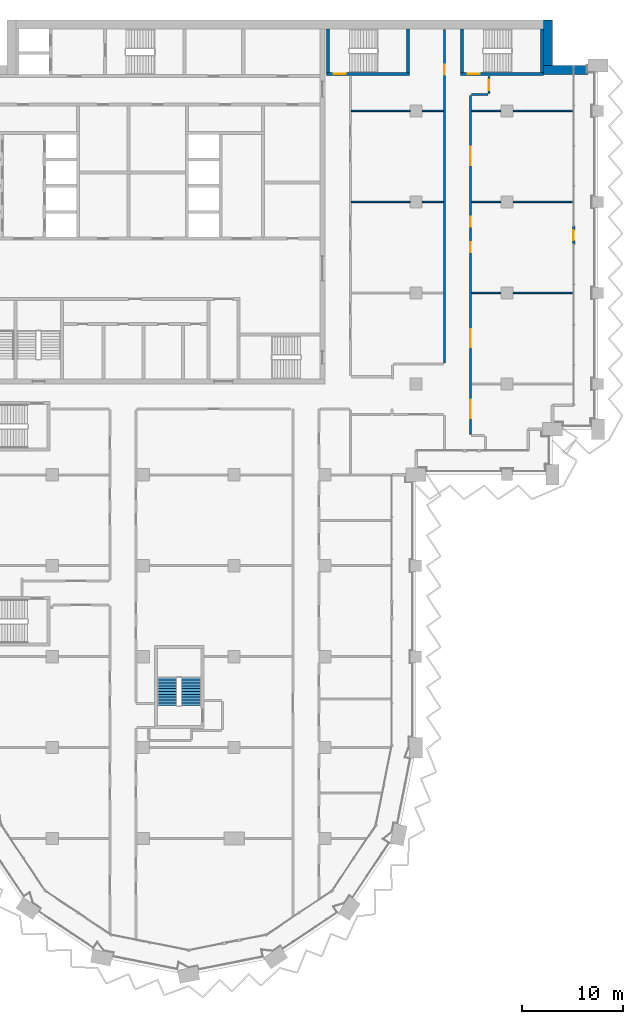
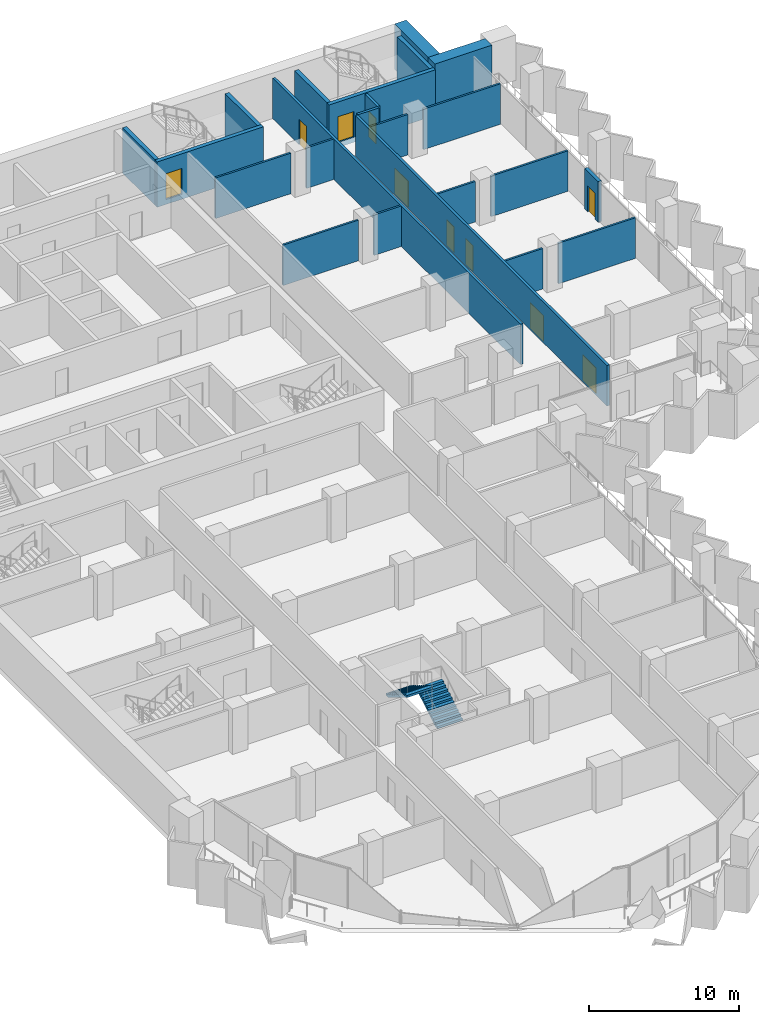
# One storey, part 14 of 22: 23 walls, 10 doors, 2 stair flights, 10 openings, 1 element without a shape of its own.
"""IFC4 building model written with IfcOpenShell, lengths in metres."""

from ifc_helpers import new_model, si_unit, direction, frame, frame_2d, origin, place, context, subcontext, project, spatial, polyline, rectangle, outline, extrude, material, layer, layer_set, type_object, element, fill, aggregate, save


model = new_model("IFC4")

# Units and contexts
model_context = context("Model", 3, precision=1e-05, world=origin(), true_north=direction((0.0, 1.0)))
body_context = subcontext(model_context, "Body", "Model", "MODEL_VIEW")
ifc_project = project(units=[si_unit("LENGTHUNIT", "METRE"), si_unit("AREAUNIT", "SQUARE_METRE"), si_unit("VOLUMEUNIT", "CUBIC_METRE"), si_unit("PLANEANGLEUNIT", "RADIAN"), si_unit("MASSUNIT", "GRAM", prefix="KILO")], contexts=[model_context])

# Site, building, storey
site_placement = place(None, origin())
site = spatial("IfcSite", under=ifc_project, at=site_placement, CompositionType="ELEMENT")
building_placement = place(site_placement, origin())
building = spatial("IfcBuilding", under=site, at=building_placement, Name="Hunhe Ridgeline Campus", CompositionType="ELEMENT")
storey_placement = place(building_placement, frame((0.0, 0.0, 133.800048828125)))
storey = spatial("IfcBuildingStorey", under=building, at=storey_placement, Name="L33", CompositionType="ELEMENT", Elevation=133.800048828125)

# Wall
ifc_material_1 = material(Name="Gypsum board partition")
ifc_layer_1 = layer(ifc_material_1, 0.199951171875)
ifc_layer_set_1 = layer_set([ifc_layer_1], Name="Corridor partition 200 gypsum board on steel studs")
wall_type_1 = type_object("IfcWallType", Name="Corridor partition 200 gypsum board on steel studs", PredefinedType="PARTITIONING", material=ifc_layer_set_1)
wall_1_placement = place(storey_placement, frame((52.10009765625, 91.64990234375, 0.0), z_axis=(0.0, 0.0, 1.0), x_axis=(-1.0, 0.0, 0.0)))
element("IfcWall", 1, at=wall_1_placement, inside=storey, type_object=wall_type_1, Name="F-L33-wall-058", PredefinedType="PARTITIONING", context=body_context, shape_type="SweptSolid", body=[
    extrude(rectangle(XDim=1.60009765625, YDim=0.199951171875, at=frame_2d((0.800048828125, 0.0))), origin(), (0.0, 0.0, 1.0), 3.300048828125),
])

# Wall, opening, door
wall_2_placement = place(storey_placement, frame((47.800048828125, 65.050048828125, 0.0), z_axis=(0.0, 0.0, 1.0), x_axis=(0.0, 1.0, 0.0)))
wall_2 = element("IfcWall", 2, at=wall_2_placement, inside=storey, type_object=wall_type_1, Name="F-L33-wall-080", PredefinedType="PARTITIONING", context=body_context, shape_type="SweptSolid", body=[
    extrude(rectangle(XDim=33.030029296875, YDim=0.199951171875, at=frame_2d((16.51513671875, 0.0))), origin(), (0.0, 0.0, 1.0), 3.300048828125),
])
opening_1_placement = place(wall_2_placement, frame((28.540283203125, 0.0, 0.0)))
opening_1 = element("IfcOpeningElement", 3, at=opening_1_placement, cuts=wall_2, Name="Opening RD1-043", PredefinedType="OPENING", context=body_context, shape_type="SweptSolid", body=[
    extrude(rectangle(XDim=1.0, YDim=2.10009765625, at=frame_2d((0.5, 1.050048828125))), frame((0.0, 0.10009765625, 0.0), z_axis=(0.0, -1.0, 0.0), x_axis=(1.0, 0.0, 0.0)), (0.0, 0.0, 1.0), 0.199951171875),
])
ifc_material_2 = material(Name="Timber door leaf", Category="wood")
door_type_1 = type_object("IfcDoorType", Name="Single fire door 1000x2100 timber FD60", OperationType="NOTDEFINED", PredefinedType="DOOR", material=ifc_material_2)
door_1_placement = place(opening_1_placement, origin())
door_1 = element("IfcDoor", 4, at=door_1_placement, inside=storey, type_object=door_type_1, Name="F-L33-door-043", OperationType="SINGLE_SWING_RIGHT", OverallHeight=2.10009765625, OverallWidth=1.0, PredefinedType="DOOR", context=body_context, shape_type="SweptSolid", body=[
    extrude(rectangle(XDim=1.0, YDim=2.10009765625, at=frame_2d((0.5, 1.050048828125))), frame((0.0, 0.02490234375, 0.0), z_axis=(0.0, -1.0, 0.0), x_axis=(1.0, 0.0, 0.0)), (0.0, 0.0, 1.0), 0.050048828125),
])
fill(opening_1, door_1)

# Wall, openings, doors
wall_3_placement = place(storey_placement, frame((50.39990234375, 91.550048828125, 0.0), z_axis=(0.0, 0.0, 1.0), x_axis=(0.0, -1.0, 0.0)))
wall_3 = element("IfcWall", 5, at=wall_3_placement, inside=storey, type_object=wall_type_1, Name="F-L33-wall-081", PredefinedType="PARTITIONING", context=body_context, shape_type="SweptSolid", body=[
    extrude(rectangle(XDim=33.549072265625, YDim=0.199951171875, at=frame_2d((16.7744140625, 0.0))), origin(), (0.0, 0.0, 1.0), 3.300048828125),
])
opening_2_placement = place(wall_3_placement, frame((30.145263671875, 0.0, 0.0)))
opening_2 = element("IfcOpeningElement", 6, at=opening_2_placement, cuts=wall_3, Name="Opening RD2-031", PredefinedType="OPENING", context=body_context, shape_type="SweptSolid", body=[
    extrude(rectangle(XDim=1.800048828125, YDim=2.10009765625, at=frame_2d((0.89990234375, 1.050048828125))), frame((0.0, 0.10009765625, 0.0), z_axis=(0.0, -1.0, 0.0), x_axis=(1.0, 0.0, 0.0)), (0.0, 0.0, 1.0), 0.199951171875),
])
opening_3_placement = place(wall_3_placement, frame((23.135009765625, 0.0, 0.0)))
opening_3 = element("IfcOpeningElement", 7, at=opening_3_placement, cuts=wall_3, Name="Opening RD2-032", PredefinedType="OPENING", context=body_context, shape_type="SweptSolid", body=[
    extrude(rectangle(XDim=1.800048828125, YDim=2.10009765625, at=frame_2d((0.89990234375, 1.050048828125))), frame((0.0, 0.10009765625, 0.0), z_axis=(0.0, -1.0, 0.0), x_axis=(1.0, 0.0, 0.0)), (0.0, 0.0, 1.0), 0.199951171875),
])
opening_4_placement = place(wall_3_placement, frame((14.52197265625, 0.0, 0.0)))
opening_4 = element("IfcOpeningElement", 8, at=opening_4_placement, cuts=wall_3, Name="Opening RD1-035", PredefinedType="OPENING", context=body_context, shape_type="SweptSolid", body=[
    extrude(rectangle(XDim=1.0, YDim=2.10009765625, at=frame_2d((0.5, 1.050048828125))), frame((0.0, 0.10009765625, 0.0), z_axis=(0.0, -1.0, 0.0), x_axis=(1.0, 0.0, 0.0)), (0.0, 0.0, 1.0), 0.199951171875),
])
opening_5_placement = place(wall_3_placement, frame((12.02197265625, 0.0, 0.0)))
opening_5 = element("IfcOpeningElement", 9, at=opening_5_placement, cuts=wall_3, Name="Opening RD1-037", PredefinedType="OPENING", context=body_context, shape_type="SweptSolid", body=[
    extrude(rectangle(XDim=1.0, YDim=2.10009765625, at=frame_2d((0.5, 1.050048828125))), frame((0.0, 0.10009765625, 0.0), z_axis=(0.0, -1.0, 0.0), x_axis=(1.0, 0.0, 0.0)), (0.0, 0.0, 1.0), 0.199951171875),
])
opening_6_placement = place(wall_3_placement, frame((5.10888671875, 0.0, 0.0)))
opening_6 = element("IfcOpeningElement", 10, at=opening_6_placement, cuts=wall_3, Name="Opening RD2-040", PredefinedType="OPENING", context=body_context, shape_type="SweptSolid", body=[
    extrude(rectangle(XDim=1.800048828125, YDim=2.10009765625, at=frame_2d((0.89990234375, 1.050048828125))), frame((0.0, 0.10009765625, 0.0), z_axis=(0.0, -1.0, 0.0), x_axis=(1.0, 0.0, 0.0)), (0.0, 0.0, 1.0), 0.199951171875),
])
door_type_2 = type_object("IfcDoorType", Name="Double fire door 1800x2100 timber FD60", OperationType="DOUBLE_DOOR_SINGLE_SWING", PredefinedType="DOOR", material=ifc_material_2)
door_2_placement = place(opening_2_placement, origin())
door_2 = element("IfcDoor", 11, at=door_2_placement, inside=storey, type_object=door_type_2, Name="F-L33-door-031", OperationType="DOUBLE_DOOR_SINGLE_SWING", OverallHeight=2.10009765625, OverallWidth=1.800048828125, PredefinedType="DOOR", context=body_context, shape_type="SweptSolid", body=[
    extrude(rectangle(XDim=1.800048828125, YDim=2.10009765625, at=frame_2d((0.89990234375, 1.050048828125))), frame((0.0, 0.02490234375, 0.0), z_axis=(0.0, -1.0, 0.0), x_axis=(1.0, 0.0, 0.0)), (0.0, 0.0, 1.0), 0.050048828125),
])
fill(opening_2, door_2)
door_3_placement = place(opening_3_placement, origin())
door_3 = element("IfcDoor", 12, at=door_3_placement, inside=storey, type_object=door_type_2, Name="F-L33-door-032", OperationType="DOUBLE_DOOR_SINGLE_SWING", OverallHeight=2.10009765625, OverallWidth=1.800048828125, PredefinedType="DOOR", context=body_context, shape_type="SweptSolid", body=[
    extrude(rectangle(XDim=1.800048828125, YDim=2.10009765625, at=frame_2d((0.89990234375, 1.050048828125))), frame((0.0, 0.02490234375, 0.0), z_axis=(0.0, -1.0, 0.0), x_axis=(1.0, 0.0, 0.0)), (0.0, 0.0, 1.0), 0.050048828125),
])
fill(opening_3, door_3)
door_4_placement = place(opening_6_placement, origin())
door_4 = element("IfcDoor", 13, at=door_4_placement, inside=storey, type_object=door_type_2, Name="F-L33-door-040", OperationType="DOUBLE_DOOR_SINGLE_SWING", OverallHeight=2.10009765625, OverallWidth=1.800048828125, PredefinedType="DOOR", context=body_context, shape_type="SweptSolid", body=[
    extrude(rectangle(XDim=1.800048828125, YDim=2.10009765625, at=frame_2d((0.89990234375, 1.050048828125))), frame((0.0, 0.02490234375, 0.0), z_axis=(0.0, -1.0, 0.0), x_axis=(1.0, 0.0, 0.0)), (0.0, 0.0, 1.0), 0.050048828125),
])
fill(opening_6, door_4)
door_5_placement = place(opening_4_placement, frame((1.0, 0.0, 0.0), z_axis=(0.0, 0.0, 1.0), x_axis=(-1.0, 0.0, 0.0)))
door_5 = element("IfcDoor", 14, at=door_5_placement, inside=storey, type_object=door_type_1, Name="F-L33-door-035", OperationType="SINGLE_SWING_RIGHT", OverallHeight=2.10009765625, OverallWidth=1.0, PredefinedType="DOOR", context=body_context, shape_type="SweptSolid", body=[
    extrude(rectangle(XDim=1.0, YDim=2.10009765625, at=frame_2d((0.5, 1.050048828125))), frame((0.0, 0.02490234375, 0.0), z_axis=(0.0, -1.0, 0.0), x_axis=(1.0, 0.0, 0.0)), (0.0, 0.0, 1.0), 0.050048828125),
])
fill(opening_4, door_5)
door_6_placement = place(opening_5_placement, frame((1.0, 0.0, 0.0), z_axis=(0.0, 0.0, 1.0), x_axis=(-1.0, 0.0, 0.0)))
door_6 = element("IfcDoor", 15, at=door_6_placement, inside=storey, type_object=door_type_1, Name="F-L33-door-037", OperationType="SINGLE_SWING_RIGHT", OverallHeight=2.10009765625, OverallWidth=1.0, PredefinedType="DOOR", context=body_context, shape_type="SweptSolid", body=[
    extrude(rectangle(XDim=1.0, YDim=2.10009765625, at=frame_2d((0.5, 1.050048828125))), frame((0.0, 0.02490234375, 0.0), z_axis=(0.0, -1.0, 0.0), x_axis=(1.0, 0.0, 0.0)), (0.0, 0.0, 1.0), 0.050048828125),
])
fill(opening_5, door_6)

# Wall, opening, door
wall_4_placement = place(storey_placement, frame((52.199951171875, 93.39599609375, 0.0), z_axis=(0.0, 0.0, 1.0), x_axis=(0.0, -1.0, 0.0)))
wall_4 = element("IfcWall", 16, at=wall_4_placement, inside=storey, type_object=wall_type_1, Name="F-L33-wall-083", PredefinedType="PARTITIONING", context=body_context, shape_type="SweptSolid", body=[
    extrude(rectangle(XDim=1.64599609375, YDim=0.199951171875, at=frame_2d((0.822998046875, 0.0))), origin(), (0.0, 0.0, 1.0), 3.300048828125),
])
opening_7_placement = place(wall_4_placement, frame((0.322998046875, 0.0, 0.0)))
opening_7 = element("IfcOpeningElement", 17, at=opening_7_placement, cuts=wall_4, Name="Opening RD1-042", PredefinedType="OPENING", context=body_context, shape_type="SweptSolid", body=[
    extrude(rectangle(XDim=1.0, YDim=2.10009765625, at=frame_2d((0.5, 1.050048828125))), frame((0.0, 0.10009765625, 0.0), z_axis=(0.0, -1.0, 0.0), x_axis=(1.0, 0.0, 0.0)), (0.0, 0.0, 1.0), 0.199951171875),
])
door_7_placement = place(opening_7_placement, origin())
door_7 = element("IfcDoor", 18, at=door_7_placement, inside=storey, type_object=door_type_1, Name="F-L33-door-042", OperationType="SINGLE_SWING_LEFT", OverallHeight=2.10009765625, OverallWidth=1.0, PredefinedType="DOOR", context=body_context, shape_type="SweptSolid", body=[
    extrude(rectangle(XDim=1.0, YDim=2.10009765625, at=frame_2d((0.5, 1.050048828125))), frame((0.0, 0.02490234375, 0.0), z_axis=(0.0, -1.0, 0.0), x_axis=(1.0, 0.0, 0.0)), (0.0, 0.0, 1.0), 0.050048828125),
])
fill(opening_7, door_7)

ifc_material_3 = material(Name="Concrete C30", Category="concrete")
ifc_layer_2 = layer(ifc_material_3, 0.25)
ifc_layer_set_2 = layer_set([ifc_layer_2], Name="Loggia door pier wall 250 Concrete C30")
wall_type_2 = type_object("IfcWallType", Name="Loggia door pier wall 250 Concrete C30", PredefinedType="SOLIDWALL", material=ifc_layer_set_2)
wall_5_placement = place(storey_placement, frame((60.59912109375, 76.800537109375, 0.0), z_axis=(0.0, 0.0, 1.0), x_axis=(0.0, 1.0, 0.0)))
wall_5 = element("IfcWall", 19, at=wall_5_placement, inside=storey, type_object=wall_type_2, Name="Loggia door pier 5", PredefinedType="SOLIDWALL", context=body_context, shape_type="SweptSolid", body=[
    extrude(rectangle(XDim=1.800048828125, YDim=0.25, at=frame_2d((0.89990234375, 0.0))), origin(), (0.0, 0.0, 1.0), 3.300048828125),
])
opening_8_placement = place(wall_5_placement, frame((0.39990234375, 0.0, 0.0)))
opening_8 = element("IfcOpeningElement", 20, at=opening_8_placement, cuts=wall_5, Name="Opening BD307", PredefinedType="OPENING", context=body_context, shape_type="SweptSolid", body=[
    extrude(rectangle(XDim=1.0, YDim=2.10009765625, at=frame_2d((0.5, 1.050048828125))), frame((0.0, 0.125, 0.0), z_axis=(0.0, -1.0, 0.0), x_axis=(1.0, 0.0, 0.0)), (0.0, 0.0, 1.0), 0.25),
])
ifc_material_4 = material(Name="Aluminium 6063", Category="aluminium")
door_type_3 = type_object("IfcDoorType", Name="Loggia glazed door 1000x2100", OperationType="NOTDEFINED", PredefinedType="DOOR", material=ifc_material_4)
door_8_placement = place(opening_8_placement, frame((1.0, 0.0, 0.0), z_axis=(0.0, 0.0, 1.0), x_axis=(-1.0, 0.0, 0.0)))
door_8 = element("IfcDoor", 21, at=door_8_placement, inside=storey, type_object=door_type_3, Name="Loggia door BD307", OperationType="SINGLE_SWING_RIGHT", OverallHeight=2.10009765625, OverallWidth=1.0, PredefinedType="DOOR", context=body_context, shape_type="SweptSolid", body=[
    extrude(rectangle(XDim=1.0, YDim=2.10009765625, at=frame_2d((0.5, 1.050048828125))), frame((0.0, 0.02490234375, 0.0), z_axis=(0.0, -1.0, 0.0), x_axis=(1.0, 0.0, 0.0)), (0.0, 0.0, 1.0), 0.050048828125),
])
fill(opening_8, door_8)

# Walls
ifc_layer_3 = layer(ifc_material_1, 0.14990234375)
ifc_layer_set_3 = layer_set([ifc_layer_3], Name="Room partition 150 gypsum board on steel studs")
wall_type_3 = type_object("IfcWallType", Name="Room partition 150 gypsum board on steel studs", PredefinedType="PARTITIONING", material=ifc_layer_set_3)
wall_6_placement = place(storey_placement, frame((50.5, 72.0, 0.0), z_axis=(0.0, 0.0, 1.0), x_axis=(1.0, 0.0, 0.0)))
element("IfcWall", 22, at=wall_6_placement, inside=storey, type_object=wall_type_3, Name="F-L33-wall-048", PredefinedType="PARTITIONING", context=body_context, shape_type="SweptSolid", body=[
    extrude(rectangle(XDim=2.89990234375, YDim=0.14990234375, at=frame_2d((1.449951171875, 0.0))), origin(), (0.0, 0.0, 1.0), 3.300048828125),
])
wall_7_placement = place(storey_placement, frame((54.60009765625, 72.0, 0.0), z_axis=(0.0, 0.0, 1.0), x_axis=(1.0, 0.0, 0.0)))
element("IfcWall", 23, at=wall_7_placement, inside=storey, type_object=wall_type_3, Name="F-L33-wall-049", PredefinedType="PARTITIONING", context=body_context, shape_type="SweptSolid", body=[
    extrude(rectangle(XDim=5.94482421875, YDim=0.14990234375, at=frame_2d((2.972412109375, 0.0))), origin(), (0.0, 0.0, 1.0), 3.300048828125),
])
wall_8_placement = place(storey_placement, frame((38.60009765625, 81.0, 0.0), z_axis=(0.0, 0.0, 1.0), x_axis=(1.0, 0.0, 0.0)))
element("IfcWall", 24, at=wall_8_placement, inside=storey, type_object=wall_type_3, Name="F-L33-wall-050", PredefinedType="PARTITIONING", context=body_context, shape_type="SweptSolid", body=[
    extrude(rectangle(XDim=5.7998046875, YDim=0.14990234375, at=frame_2d((2.89990234375, 0.0))), origin(), (0.0, 0.0, 1.0), 3.300048828125),
])
wall_9_placement = place(storey_placement, frame((45.60009765625, 81.0, 0.0), z_axis=(0.0, 0.0, 1.0), x_axis=(1.0, 0.0, 0.0)))
element("IfcWall", 25, at=wall_9_placement, inside=storey, type_object=wall_type_3, Name="F-L33-wall-051", PredefinedType="PARTITIONING", context=body_context, shape_type="SweptSolid", body=[
    extrude(rectangle(XDim=2.099853515625, YDim=0.14990234375, at=frame_2d((1.0498046875, 0.0))), origin(), (0.0, 0.0, 1.0), 3.300048828125),
])
wall_10_placement = place(storey_placement, frame((50.5, 81.0, 0.0), z_axis=(0.0, 0.0, 1.0), x_axis=(1.0, 0.0, 0.0)))
element("IfcWall", 26, at=wall_10_placement, inside=storey, type_object=wall_type_3, Name="F-L33-wall-052", PredefinedType="PARTITIONING", context=body_context, shape_type="SweptSolid", body=[
    extrude(rectangle(XDim=2.89990234375, YDim=0.14990234375, at=frame_2d((1.449951171875, 0.0))), origin(), (0.0, 0.0, 1.0), 3.300048828125),
])
wall_11_placement = place(storey_placement, frame((54.60009765625, 81.0, 0.0), z_axis=(0.0, 0.0, 1.0), x_axis=(1.0, 0.0, 0.0)))
element("IfcWall", 27, at=wall_11_placement, inside=storey, type_object=wall_type_3, Name="F-L33-wall-053", PredefinedType="PARTITIONING", context=body_context, shape_type="SweptSolid", body=[
    extrude(rectangle(XDim=5.94482421875, YDim=0.14990234375, at=frame_2d((2.972412109375, 0.0))), origin(), (0.0, 0.0, 1.0), 3.300048828125),
])
wall_12_placement = place(storey_placement, frame((38.60009765625, 90.0, 0.0), z_axis=(0.0, 0.0, 1.0), x_axis=(1.0, 0.0, 0.0)))
element("IfcWall", 28, at=wall_12_placement, inside=storey, type_object=wall_type_3, Name="F-L33-wall-054", PredefinedType="PARTITIONING", context=body_context, shape_type="SweptSolid", body=[
    extrude(rectangle(XDim=5.7998046875, YDim=0.14990234375, at=frame_2d((2.89990234375, 0.0))), origin(), (0.0, 0.0, 1.0), 3.300048828125),
])
wall_13_placement = place(storey_placement, frame((45.60009765625, 90.0, 0.0), z_axis=(0.0, 0.0, 1.0), x_axis=(1.0, 0.0, 0.0)))
element("IfcWall", 29, at=wall_13_placement, inside=storey, type_object=wall_type_3, Name="F-L33-wall-055", PredefinedType="PARTITIONING", context=body_context, shape_type="SweptSolid", body=[
    extrude(rectangle(XDim=2.099853515625, YDim=0.14990234375, at=frame_2d((1.0498046875, 0.0))), origin(), (0.0, 0.0, 1.0), 3.300048828125),
])
wall_14_placement = place(storey_placement, frame((50.5, 90.0, 0.0), z_axis=(0.0, 0.0, 1.0), x_axis=(1.0, 0.0, 0.0)))
element("IfcWall", 30, at=wall_14_placement, inside=storey, type_object=wall_type_3, Name="F-L33-wall-056", PredefinedType="PARTITIONING", context=body_context, shape_type="SweptSolid", body=[
    extrude(rectangle(XDim=2.89990234375, YDim=0.14990234375, at=frame_2d((1.449951171875, 0.0))), origin(), (0.0, 0.0, 1.0), 3.300048828125),
])
wall_15_placement = place(storey_placement, frame((54.60009765625, 90.0, 0.0), z_axis=(0.0, 0.0, 1.0), x_axis=(1.0, 0.0, 0.0)))
element("IfcWall", 31, at=wall_15_placement, inside=storey, type_object=wall_type_3, Name="F-L33-wall-057", PredefinedType="PARTITIONING", context=body_context, shape_type="SweptSolid", body=[
    extrude(rectangle(XDim=5.94482421875, YDim=0.14990234375, at=frame_2d((2.972412109375, 0.0))), origin(), (0.0, 0.0, 1.0), 3.300048828125),
])
ifc_material_5 = material(Name="Concrete C70", Category="concrete")
ifc_layer_4 = layer(ifc_material_5, 0.89990234375)
ifc_layer_set_4 = layer_set([ifc_layer_4], Name="Spine wall 900 Concrete C70")
wall_type_4 = type_object("IfcWallType", Name="Spine wall 900 Concrete C70", PredefinedType="SHEAR", material=ifc_layer_set_4)
wall_16_placement = place(storey_placement, frame((62.0, 94.050048828125, 0.0), z_axis=(0.0, 0.0, 1.0), x_axis=(-1.0, 0.0, 0.0)))
element("IfcWall", 32, at=wall_16_placement, inside=storey, type_object=wall_type_4, Name="Spine wall SW2-2 L33", PredefinedType="SHEAR", context=body_context, shape_type="SweptSolid", body=[
    extrude(rectangle(XDim=4.400390625, YDim=0.89990234375, at=frame_2d((2.2001953125, 0.0))), origin(), (0.0, 0.0, 1.0), 3.699951171875),
])
wall_17_placement = place(storey_placement, frame((58.050048828125, 93.60009765625, 0.0), z_axis=(0.0, 0.0, 1.0), x_axis=(0.0, 1.0, 0.0)))
element("IfcWall", 33, at=wall_17_placement, inside=storey, type_object=wall_type_4, Name="Spine wall SW2-3 L33", PredefinedType="SHEAR", context=body_context, shape_type="SweptSolid", body=[
    extrude(rectangle(XDim=5.39990234375, YDim=0.89990234375, at=frame_2d((2.699951171875, 0.0))), origin(), (0.0, 0.0, 1.0), 3.699951171875),
])

# Wall, opening, door
ifc_layer_5 = layer(ifc_material_5, 0.300048828125)
ifc_layer_set_5 = layer_set([ifc_layer_5], Name="Stair wall 300 reinforced concrete C70")
wall_type_5 = type_object("IfcWallType", Name="Stair wall 300 reinforced concrete C70", PredefinedType="SOLIDWALL", material=ifc_layer_set_5)
wall_18_placement = place(storey_placement, frame((36.14990234375, 93.64990234375, -0.400146484375), z_axis=(0.0, 0.0, 1.0), x_axis=(1.0, 0.0, 0.0)))
wall_18 = element("IfcWall", 34, at=wall_18_placement, inside=storey, type_object=wall_type_5, Name="L33 core wall 29", PredefinedType="SOLIDWALL", context=body_context, shape_type="SweptSolid", body=[
    extrude(rectangle(XDim=8.2001953125, YDim=0.300048828125, at=frame_2d((4.10009765625, 0.0))), origin(), (0.0, 0.0, 1.0), 3.7001953125),
])
opening_9_placement = place(wall_18_placement, frame((0.699951171875, 0.0, 0.39990234375)))
opening_9 = element("IfcOpeningElement", 35, at=opening_9_placement, cuts=wall_18, Name="Opening CD17", PredefinedType="OPENING", context=body_context, shape_type="SweptSolid", body=[
    extrude(rectangle(XDim=1.199951171875, YDim=2.10009765625, at=frame_2d((0.60009765625, 1.050048828125))), frame((0.0, 0.14990234375, 0.0), z_axis=(0.0, -1.0, 0.0), x_axis=(1.0, 0.0, 0.0)), (0.0, 0.0, 1.0), 0.300048828125),
])
ifc_material_6 = material(Name="Hollow metal fire door leaf")
door_type_4 = type_object("IfcDoorType", Name="Stair door 1200x2100 FD60", OperationType="SINGLE_SWING_LEFT", PredefinedType="DOOR", material=ifc_material_6)
door_9_placement = place(opening_9_placement, frame((1.199951171875, 0.0, 0.0), z_axis=(0.0, 0.0, 1.0), x_axis=(-1.0, 0.0, 0.0)))
door_9 = element("IfcDoor", 36, at=door_9_placement, inside=storey, type_object=door_type_4, Name="L33 door E1", OperationType="SINGLE_SWING_RIGHT", OverallHeight=2.10009765625, OverallWidth=1.199951171875, PredefinedType="DOOR", context=body_context, shape_type="SweptSolid", body=[
    extrude(rectangle(XDim=1.199951171875, YDim=2.10009765625, at=frame_2d((0.60009765625, 1.050048828125))), frame((0.0, 0.02490234375, 0.0), z_axis=(0.0, -1.0, 0.0), x_axis=(1.0, 0.0, 0.0)), (0.0, 0.0, 1.0), 0.050048828125),
])
fill(opening_9, door_9)

wall_19_placement = place(storey_placement, frame((49.39990234375, 93.64990234375, -0.400146484375), z_axis=(0.0, 0.0, 1.0), x_axis=(1.0, 0.0, 0.0)))
wall_19 = element("IfcWall", 37, at=wall_19_placement, inside=storey, type_object=wall_type_5, Name="L33 core wall 30", PredefinedType="SOLIDWALL", context=body_context, shape_type="SweptSolid", body=[
    extrude(rectangle(XDim=8.2001953125, YDim=0.300048828125, at=frame_2d((4.10009765625, 0.0))), origin(), (0.0, 0.0, 1.0), 3.7001953125),
])
opening_10_placement = place(wall_19_placement, frame((0.699951171875, 0.0, 0.39990234375)))
opening_10 = element("IfcOpeningElement", 38, at=opening_10_placement, cuts=wall_19, Name="Opening CD18", PredefinedType="OPENING", context=body_context, shape_type="SweptSolid", body=[
    extrude(rectangle(XDim=1.199951171875, YDim=2.10009765625, at=frame_2d((0.60009765625, 1.050048828125))), frame((0.0, 0.14990234375, 0.0), z_axis=(0.0, -1.0, 0.0), x_axis=(1.0, 0.0, 0.0)), (0.0, 0.0, 1.0), 0.300048828125),
])
door_10_placement = place(opening_10_placement, frame((1.199951171875, 0.0, 0.0), z_axis=(0.0, 0.0, 1.0), x_axis=(-1.0, 0.0, 0.0)))
door_10 = element("IfcDoor", 39, at=door_10_placement, inside=storey, type_object=door_type_4, Name="L33 door E2", OperationType="SINGLE_SWING_LEFT", OverallHeight=2.10009765625, OverallWidth=1.199951171875, PredefinedType="DOOR", context=body_context, shape_type="SweptSolid", body=[
    extrude(rectangle(XDim=1.199951171875, YDim=2.10009765625, at=frame_2d((0.60009765625, 1.050048828125))), frame((0.0, 0.02490234375, 0.0), z_axis=(0.0, -1.0, 0.0), x_axis=(1.0, 0.0, 0.0)), (0.0, 0.0, 1.0), 0.050048828125),
])
fill(opening_10, door_10)

# Walls
for number, where, z_axis, x_axis, name in (
    (40, (36.300048828125, 93.800048828125, -0.400146484375), (0.0, 0.0, 1.0), (0.0, 1.0, 0.0), "L33 core wall 60"),
    (41, (44.199951171875, 93.800048828125, -0.400146484375), (0.0, 0.0, 1.0), (0.0, 1.0, 0.0), "L33 core wall 61"),
    (42, (49.550048828125, 93.800048828125, -0.400146484375), (0.0, 0.0, 1.0), (0.0, 1.0, 0.0), "L33 core wall 62"),
    (43, (57.449951171875, 93.800048828125, -0.400146484375), (0.0, 0.0, 1.0), (0.0, 1.0, 0.0), "L33 core wall 63"),
):
    element("IfcWall", number, at=place(storey_placement, frame(where, z_axis=z_axis, x_axis=x_axis)), inside=storey, type_object=wall_type_5, Name=name, PredefinedType="SOLIDWALL", context=body_context, shape_type="SweptSolid", body=[
        extrude(rectangle(XDim=4.300048828125, YDim=0.300048828125, at=frame_2d((2.14990234375, 0.0))), origin(), (0.0, 0.0, 1.0), 3.7001953125),
    ])

# Stair, stair flights
ifc_material_7 = material(Name="Concrete C40", Category="concrete")
stair_type = type_object("IfcStairType", Name="Reinforced concrete dog-leg stair 1950 Concrete C40", PredefinedType="HALF_TURN_STAIR", material=ifc_material_7)
stair_placement = place(storey_placement, origin())
stair = element("IfcStair", 44, at=stair_placement, inside=storey, type_object=stair_type, Name="L33 W3", PredefinedType="HALF_TURN_STAIR")
stair_flight_type = type_object("IfcStairFlightType", Name="Reinforced concrete stair flight 1950 Concrete C40", PredefinedType="STRAIGHT", material=ifc_material_7)
stair_flight_1_placement = place(storey_placement, frame((22.72509765625, 31.14990234375, 0.0), z_axis=(0.0, 0.0, 1.0), x_axis=(0.0, 1.0, 0.0)))
stair_flight_1 = element("IfcStairFlight", 45, at=stair_flight_1_placement, type_object=stair_flight_type, Name="ST9 flight 1", NumberOfRisers=11, NumberOfTreads=10, PredefinedType="STRAIGHT", RiserHeight=0.168181818, TreadLength=0.28, context=body_context, shape_type="SweptSolid", body=[
    extrude(outline(polyline([(0.0, 0.0), (0.0, 0.168212890625), (0.280029296875, 0.168212890625), (0.280029296875, 0.33642578125), (0.56005859375, 0.33642578125), (0.56005859375, 0.504638671875), (0.840087890625, 0.504638671875), (0.840087890625, 0.672607421875), (1.1201171875, 0.672607421875), (1.1201171875, 0.8408203125), (1.39990234375, 0.8408203125), (1.39990234375, 1.009033203125), (1.679931640625, 1.009033203125), (1.679931640625, 1.17724609375), (1.9599609375, 1.17724609375), (1.9599609375, 1.345458984375), (2.239990234375, 1.345458984375), (2.239990234375, 1.513671875), (2.52001953125, 1.513671875), (2.52001953125, 1.681884765625), (2.800048828125, 1.681884765625), (2.800048828125, 1.85009765625), (2.800048828125, 1.5068359375), (0.291015625, 0.0), (0.0, 0.0)])), frame((0.0, 0.97509765625, 0.0), z_axis=(0.0, -1.0, 0.0), x_axis=(1.0, 0.0, 0.0)), (0.0, 0.0, 1.0), 1.949951171875),
    extrude(outline(polyline([(0.030029296875, 0.030029296875), (0.030029296875, 0.13818359375), (0.31005859375, 0.13818359375), (0.31005859375, 0.306396484375), (0.590087890625, 0.306396484375), (0.590087890625, 0.474609375), (0.8701171875, 0.474609375), (0.8701171875, 0.642578125), (1.14990234375, 0.642578125), (1.14990234375, 0.810791015625), (1.429931640625, 0.810791015625), (1.429931640625, 0.97900390625), (1.7099609375, 0.97900390625), (1.7099609375, 1.147216796875), (1.989990234375, 1.147216796875), (1.989990234375, 1.3154296875), (2.27001953125, 1.3154296875), (2.27001953125, 1.483642578125), (2.550048828125, 1.483642578125), (2.550048828125, 1.65185546875), (2.77001953125, 1.65185546875), (2.77001953125, 1.52392578125), (0.28271484375, 0.030029296875), (0.030029296875, 0.030029296875)])), frame((0.0, -0.070068359375, 0.0), z_axis=(0.0, -1.0, 0.0), x_axis=(1.0, 0.0, 0.0)), (0.0, 0.0, 1.0), 0.019775390625),
    extrude(outline(polyline([(0.030029296875, 0.030029296875), (0.030029296875, 0.13818359375), (0.31005859375, 0.13818359375), (0.31005859375, 0.306396484375), (0.590087890625, 0.306396484375), (0.590087890625, 0.474609375), (0.8701171875, 0.474609375), (0.8701171875, 0.642578125), (1.14990234375, 0.642578125), (1.14990234375, 0.810791015625), (1.429931640625, 0.810791015625), (1.429931640625, 0.97900390625), (1.7099609375, 0.97900390625), (1.7099609375, 1.147216796875), (1.989990234375, 1.147216796875), (1.989990234375, 1.3154296875), (2.27001953125, 1.3154296875), (2.27001953125, 1.483642578125), (2.550048828125, 1.483642578125), (2.550048828125, 1.65185546875), (2.77001953125, 1.65185546875), (2.77001953125, 1.52392578125), (0.28271484375, 0.030029296875), (0.030029296875, 0.030029296875)])), frame((0.0, 0.010009765625, 0.0), z_axis=(0.0, -1.0, 0.0), x_axis=(1.0, 0.0, 0.0)), (0.0, 0.0, 1.0), 0.019775390625),
    extrude(outline(polyline([(0.030029296875, 0.030029296875), (0.030029296875, 0.13818359375), (0.31005859375, 0.13818359375), (0.31005859375, 0.306396484375), (0.590087890625, 0.306396484375), (0.590087890625, 0.474609375), (0.8701171875, 0.474609375), (0.8701171875, 0.642578125), (1.14990234375, 0.642578125), (1.14990234375, 0.810791015625), (1.429931640625, 0.810791015625), (1.429931640625, 0.97900390625), (1.7099609375, 0.97900390625), (1.7099609375, 1.147216796875), (1.989990234375, 1.147216796875), (1.989990234375, 1.3154296875), (2.27001953125, 1.3154296875), (2.27001953125, 1.483642578125), (2.550048828125, 1.483642578125), (2.550048828125, 1.65185546875), (2.77001953125, 1.65185546875), (2.77001953125, 1.52392578125), (0.28271484375, 0.030029296875), (0.030029296875, 0.030029296875)])), frame((0.0, 0.090087890625, 0.0), z_axis=(0.0, -1.0, 0.0), x_axis=(1.0, 0.0, 0.0)), (0.0, 0.0, 1.0), 0.019775390625),
])
stair_flight_2_placement = place(storey_placement, frame((20.375, 33.949951171875, 1.849853515625), z_axis=(0.0, 0.0, 1.0), x_axis=(0.0, -1.0, 0.0)))
stair_flight_2 = element("IfcStairFlight", 46, at=stair_flight_2_placement, type_object=stair_flight_type, Name="ST9 flight 2", NumberOfRisers=11, NumberOfTreads=10, PredefinedType="STRAIGHT", RiserHeight=0.168181818, TreadLength=0.28, context=body_context, shape_type="SweptSolid", body=[
    extrude(outline(polyline([(0.0, 0.0), (0.0, 0.168212890625), (0.280029296875, 0.168212890625), (0.280029296875, 0.33642578125), (0.56005859375, 0.33642578125), (0.56005859375, 0.504638671875), (0.840087890625, 0.504638671875), (0.840087890625, 0.672607421875), (1.1201171875, 0.672607421875), (1.1201171875, 0.8408203125), (1.39990234375, 0.8408203125), (1.39990234375, 1.009033203125), (1.679931640625, 1.009033203125), (1.679931640625, 1.17724609375), (1.9599609375, 1.17724609375), (1.9599609375, 1.345458984375), (2.239990234375, 1.345458984375), (2.239990234375, 1.513671875), (2.52001953125, 1.513671875), (2.52001953125, 1.681884765625), (2.800048828125, 1.681884765625), (2.800048828125, 1.85009765625), (2.800048828125, 1.5068359375), (0.291015625, 0.0), (0.0, 0.0)])), frame((0.0, 0.97509765625, 0.0), z_axis=(0.0, -1.0, 0.0), x_axis=(1.0, 0.0, 0.0)), (0.0, 0.0, 1.0), 1.949951171875),
    extrude(outline(polyline([(0.030029296875, 0.030029296875), (0.030029296875, 0.13818359375), (0.31005859375, 0.13818359375), (0.31005859375, 0.306396484375), (0.590087890625, 0.306396484375), (0.590087890625, 0.474609375), (0.8701171875, 0.474609375), (0.8701171875, 0.642578125), (1.14990234375, 0.642578125), (1.14990234375, 0.810791015625), (1.429931640625, 0.810791015625), (1.429931640625, 0.97900390625), (1.7099609375, 0.97900390625), (1.7099609375, 1.147216796875), (1.989990234375, 1.147216796875), (1.989990234375, 1.3154296875), (2.27001953125, 1.3154296875), (2.27001953125, 1.483642578125), (2.550048828125, 1.483642578125), (2.550048828125, 1.65185546875), (2.77001953125, 1.65185546875), (2.77001953125, 1.52392578125), (0.28271484375, 0.030029296875), (0.030029296875, 0.030029296875)])), frame((0.0, -0.070068359375, 0.0), z_axis=(0.0, -1.0, 0.0), x_axis=(1.0, 0.0, 0.0)), (0.0, 0.0, 1.0), 0.019775390625),
    extrude(outline(polyline([(0.030029296875, 0.030029296875), (0.030029296875, 0.13818359375), (0.31005859375, 0.13818359375), (0.31005859375, 0.306396484375), (0.590087890625, 0.306396484375), (0.590087890625, 0.474609375), (0.8701171875, 0.474609375), (0.8701171875, 0.642578125), (1.14990234375, 0.642578125), (1.14990234375, 0.810791015625), (1.429931640625, 0.810791015625), (1.429931640625, 0.97900390625), (1.7099609375, 0.97900390625), (1.7099609375, 1.147216796875), (1.989990234375, 1.147216796875), (1.989990234375, 1.3154296875), (2.27001953125, 1.3154296875), (2.27001953125, 1.483642578125), (2.550048828125, 1.483642578125), (2.550048828125, 1.65185546875), (2.77001953125, 1.65185546875), (2.77001953125, 1.52392578125), (0.28271484375, 0.030029296875), (0.030029296875, 0.030029296875)])), frame((0.0, 0.010009765625, 0.0), z_axis=(0.0, -1.0, 0.0), x_axis=(1.0, 0.0, 0.0)), (0.0, 0.0, 1.0), 0.019775390625),
    extrude(outline(polyline([(0.030029296875, 0.030029296875), (0.030029296875, 0.13818359375), (0.31005859375, 0.13818359375), (0.31005859375, 0.306396484375), (0.590087890625, 0.306396484375), (0.590087890625, 0.474609375), (0.8701171875, 0.474609375), (0.8701171875, 0.642578125), (1.14990234375, 0.642578125), (1.14990234375, 0.810791015625), (1.429931640625, 0.810791015625), (1.429931640625, 0.97900390625), (1.7099609375, 0.97900390625), (1.7099609375, 1.147216796875), (1.989990234375, 1.147216796875), (1.989990234375, 1.3154296875), (2.27001953125, 1.3154296875), (2.27001953125, 1.483642578125), (2.550048828125, 1.483642578125), (2.550048828125, 1.65185546875), (2.77001953125, 1.65185546875), (2.77001953125, 1.52392578125), (0.28271484375, 0.030029296875), (0.030029296875, 0.030029296875)])), frame((0.0, 0.090087890625, 0.0), z_axis=(0.0, -1.0, 0.0), x_axis=(1.0, 0.0, 0.0)), (0.0, 0.0, 1.0), 0.019775390625),
])
aggregate(stair, [stair_flight_1, stair_flight_2])

save(model, "model.ifc")
